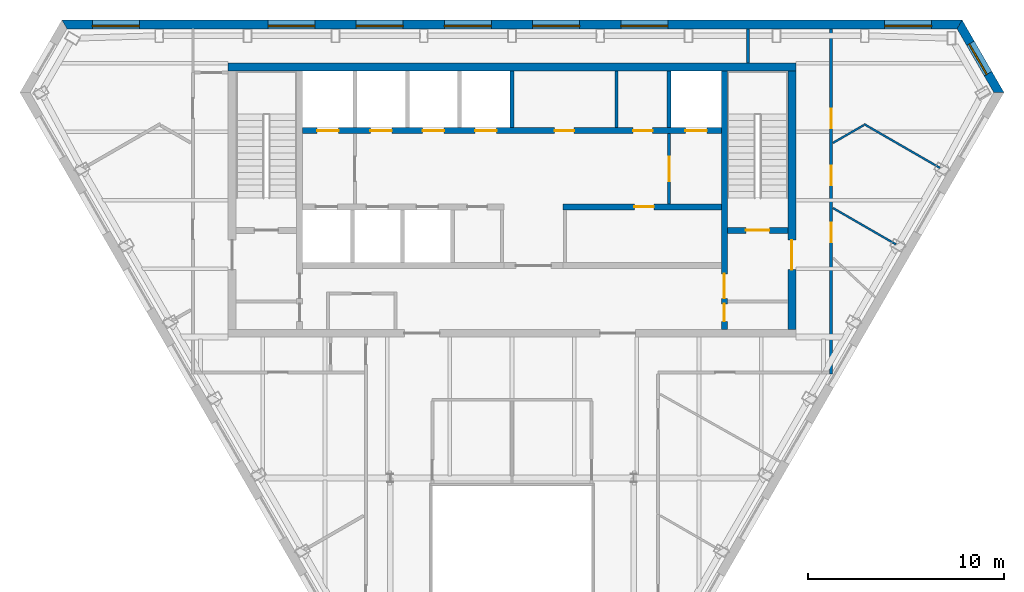
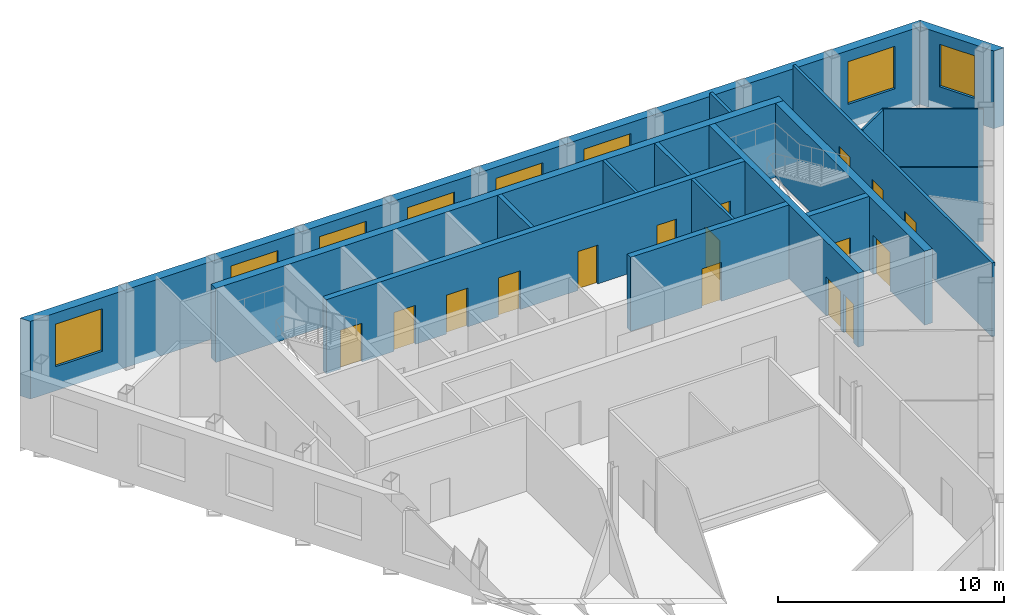
# One storey, part 6 of 9: 17 walls, 16 doors, 8 windows, 24 openings.
"""IFC4 building model written with IfcOpenShell, lengths in metres."""

from ifc_helpers import new_model, si_unit, direction, frame, frame_2d, origin, place, context, subcontext, project, spatial, polyline, rectangle, outline, extrude, material, layer, layer_set, type_object, element, fill, save


model = new_model("IFC4")

# Units and contexts
model_context = context("Model", 3, precision=1e-05, world=origin(), true_north=direction((0.0, 1.0)))
body_context = subcontext(model_context, "Body", "Model", "MODEL_VIEW")
ifc_project = project(units=[si_unit("LENGTHUNIT", "METRE"), si_unit("AREAUNIT", "SQUARE_METRE"), si_unit("VOLUMEUNIT", "CUBIC_METRE"), si_unit("PLANEANGLEUNIT", "RADIAN"), si_unit("MASSUNIT", "GRAM", prefix="KILO")], contexts=[model_context])

# Site, building, storey
site_placement = place(None, origin())
site = spatial("IfcSite", under=ifc_project, at=site_placement, CompositionType="ELEMENT")
building_placement = place(site_placement, origin())
building = spatial("IfcBuilding", under=site, at=building_placement, Name="Njiva Tower", CompositionType="ELEMENT")
storey_placement = place(building_placement, frame((0.0, 0.0, 321.0)))
storey = spatial("IfcBuildingStorey", under=building, at=storey_placement, Name="L73", CompositionType="ELEMENT", Elevation=321.0)

# Wall
ifc_material_1 = material(Name="Blockwork", Category="masonry")
ifc_layer_1 = layer(ifc_material_1, 0.15)
ifc_layer_set_1 = layer_set([ifc_layer_1], Name="Blockwork")
wall_type_1 = type_object("IfcWallType", Name="WT1 Compartment partition 150", PredefinedType="PARTITIONING", material=ifc_layer_set_1)
wall_1_placement = place(storey_placement, frame((5.35, 14.7, 0.0), z_axis=(0.0, 0.0, 1.0), x_axis=(0.0, 1.0, 0.0)))
element("IfcWall", 1, at=wall_1_placement, inside=storey, type_object=wall_type_1, Name="Partition CN6", PredefinedType="PARTITIONING", context=body_context, shape_type="SweptSolid", body=[
    extrude(rectangle(XDim=2.9, YDim=0.15, at=frame_2d((1.45, 0.0))), origin(), (0.0, 0.0, 1.0), 4.0),
])

# Wall, openings, doors
ifc_material_2 = material(Name="Concrete C40/50", Category="concrete")
ifc_layer_2 = layer(ifc_material_2, 0.3)
ifc_layer_set_2 = layer_set([ifc_layer_2], Name="Concrete C40/50")
wall_type_2 = type_object("IfcWallType", Name="WT10 Stair enclosure wall 300", PredefinedType="SHEAR", material=ifc_layer_set_2)
wall_2_placement = place(storey_placement, frame((10.85, 4.4, 0.0), z_axis=(0.0, 0.0, 1.0), x_axis=(0.0, 1.0, 0.0)))
wall_2 = element("IfcWall", 2, at=wall_2_placement, inside=storey, type_object=wall_type_2, Name="Stair wall east inner", PredefinedType="SHEAR", context=body_context, shape_type="SweptSolid", body=[
    extrude(rectangle(XDim=13.2, YDim=0.3, at=frame_2d((6.6, 0.0))), origin(), (0.0, 0.0, 1.0), 4.0),
])
opening_1_placement = place(wall_2_placement, frame((1.575, 0.0, 0.0)))
opening_1 = element("IfcOpeningElement", 3, at=opening_1_placement, cuts=wall_2, Name="Opening S25-D920", PredefinedType="OPENING", context=body_context, shape_type="SweptSolid", body=[
    extrude(rectangle(XDim=1.25, YDim=2.1, at=frame_2d((0.625, 1.05))), frame((0.0, 0.16, 0.0), z_axis=(0.0, -1.0, 0.0), x_axis=(1.0, 0.0, 0.0)), (0.0, 0.0, 1.0), 0.32),
])
opening_2_placement = place(wall_2_placement, frame((0.4, 0.0, 0.0)))
opening_2 = element("IfcOpeningElement", 4, at=opening_2_placement, cuts=wall_2, Name="Opening S25-D922", PredefinedType="OPENING", context=body_context, shape_type="SweptSolid", body=[
    extrude(rectangle(XDim=0.9, YDim=2.1, at=frame_2d((0.45, 1.05))), frame((0.0, 0.16, 0.0), z_axis=(0.0, -1.0, 0.0), x_axis=(1.0, 0.0, 0.0)), (0.0, 0.0, 1.0), 0.32),
])
ifc_material_3 = material(Name="Steel door, painted", Category="steel")
door_type_1 = type_object("IfcDoorType", Name="D13 Steel door 900x2100", OperationType="SINGLE_SWING_LEFT", PredefinedType="DOOR", material=ifc_material_3)
door_1_placement = place(opening_2_placement, origin())
door_1 = element("IfcDoor", 5, at=door_1_placement, inside=storey, type_object=door_type_1, Name="Breakout room door", OperationType="SINGLE_SWING_LEFT", OverallHeight=2.1, OverallWidth=0.9, PredefinedType="DOOR", context=body_context, shape_type="SweptSolid", body=[
    extrude(rectangle(XDim=0.9, YDim=2.1, at=frame_2d((0.45, 1.05))), frame((0.0, 0.025, 0.0), z_axis=(0.0, -1.0, 0.0), x_axis=(1.0, 0.0, 0.0)), (0.0, 0.0, 1.0), 0.05),
])
fill(opening_2, door_1)
ifc_material_4 = material(Name="Glazed steel fire door", Category="steel")
door_type_2 = type_object("IfcDoorType", Name="D8 Vestibule corridor door 1250x2100 glazed", OperationType="SINGLE_SWING_LEFT", PredefinedType="DOOR", material=ifc_material_4)
door_2_placement = place(opening_1_placement, origin())
door_2 = element("IfcDoor", 6, at=door_2_placement, inside=storey, type_object=door_type_2, Name="Stair vestibule corridor door", OperationType="SINGLE_SWING_RIGHT", OverallHeight=2.1, OverallWidth=1.25, PredefinedType="DOOR", context=body_context, shape_type="SweptSolid", body=[
    extrude(rectangle(XDim=1.25, YDim=2.1, at=frame_2d((0.625, 1.05))), frame((0.0, 0.025, 0.0), z_axis=(0.0, -1.0, 0.0), x_axis=(1.0, 0.0, 0.0)), (0.0, 0.0, 1.0), 0.05),
])
fill(opening_1, door_2)

# Wall, opening, door
wall_3_placement = place(storey_placement, frame((11.0, 9.45, 0.0), z_axis=(0.0, 0.0, 1.0), x_axis=(1.0, 0.0, 0.0)))
wall_3 = element("IfcWall", 7, at=wall_3_placement, inside=storey, type_object=wall_type_2, Name="Stair B south wall", PredefinedType="SHEAR", context=body_context, shape_type="SweptSolid", body=[
    extrude(rectangle(XDim=3.1, YDim=0.3, at=frame_2d((1.55, 0.0))), origin(), (0.0, 0.0, 1.0), 4.0),
])
opening_3_placement = place(wall_3_placement, frame((0.95, 0.0, 0.0)))
opening_3 = element("IfcOpeningElement", 8, at=opening_3_placement, cuts=wall_3, Name="Opening S25-D919", PredefinedType="OPENING", context=body_context, shape_type="SweptSolid", body=[
    extrude(rectangle(XDim=1.2, YDim=2.1, at=frame_2d((0.6, 1.05))), frame((0.0, 0.16, 0.0), z_axis=(0.0, -1.0, 0.0), x_axis=(1.0, 0.0, 0.0)), (0.0, 0.0, 1.0), 0.32),
])
door_type_3 = type_object("IfcDoorType", Name="D7 Stair vestibule door 1200x2100 glazed", OperationType="SINGLE_SWING_LEFT", PredefinedType="DOOR", material=ifc_material_4)
door_3_placement = place(opening_3_placement, origin())
door_3 = element("IfcDoor", 9, at=door_3_placement, inside=storey, type_object=door_type_3, Name="Stair B door", OperationType="SINGLE_SWING_LEFT", OverallHeight=2.1, OverallWidth=1.2, PredefinedType="DOOR", context=body_context, shape_type="SweptSolid", body=[
    extrude(rectangle(XDim=1.2, YDim=2.1, at=frame_2d((0.6, 1.05))), frame((0.0, 0.025, 0.0), z_axis=(0.0, -1.0, 0.0), x_axis=(1.0, 0.0, 0.0)), (0.0, 0.0, 1.0), 0.05),
])
fill(opening_3, door_3)

# Wall
ifc_material_5 = material(Name="Concrete C60/75", Category="concrete")
ifc_layer_3 = layer(ifc_material_5, 0.4)
ifc_layer_set_3 = layer_set([ifc_layer_3], Name="Concrete C60/75")
wall_type_3 = type_object("IfcWallType", Name="WT11 Core wall 400", PredefinedType="SHEAR", material=ifc_layer_set_3)
wall_4_placement = place(storey_placement, frame((-14.5, 17.8, 0.0), z_axis=(0.0, 0.0, 1.0), x_axis=(1.0, 0.0, 0.0)))
element("IfcWall", 10, at=wall_4_placement, inside=storey, type_object=wall_type_3, Name="Core wall north", PredefinedType="SHEAR", context=body_context, shape_type="SweptSolid", body=[
    extrude(rectangle(XDim=29.0, YDim=0.4, at=frame_2d((14.5, 0.0))), origin(), (0.0, 0.0, 1.0), 4.0),
])

# Wall, opening, door
wall_5_placement = place(storey_placement, frame((14.3, 4.4, 0.0), z_axis=(0.0, 0.0, 1.0), x_axis=(0.0, 1.0, 0.0)))
wall_5 = element("IfcWall", 11, at=wall_5_placement, inside=storey, type_object=wall_type_3, Name="Core wall east", PredefinedType="SHEAR", context=body_context, shape_type="SweptSolid", body=[
    extrude(rectangle(XDim=13.2, YDim=0.4, at=frame_2d((6.6, 0.0))), origin(), (0.0, 0.0, 1.0), 4.0),
])
opening_4_placement = place(wall_5_placement, frame((3.05, 0.0, 0.0)))
opening_4 = element("IfcOpeningElement", 12, at=opening_4_placement, cuts=wall_5, Name="Opening S25-D921", PredefinedType="OPENING", context=body_context, shape_type="SweptSolid", body=[
    extrude(rectangle(XDim=1.5, YDim=2.1, at=frame_2d((0.75, 1.05))), frame((0.0, 0.21, 0.0), z_axis=(0.0, -1.0, 0.0), x_axis=(1.0, 0.0, 0.0)), (0.0, 0.0, 1.0), 0.42),
])
door_type_4 = type_object("IfcDoorType", Name="D10 Exit door double 1500x2100 glazed", OperationType="DOUBLE_DOOR_SINGLE_SWING", PredefinedType="DOOR", material=ifc_material_4)
door_4_placement = place(opening_4_placement, origin())
door_4 = element("IfcDoor", 13, at=door_4_placement, inside=storey, type_object=door_type_4, Name="Stair B corridor door", OperationType="DOUBLE_DOOR_SINGLE_SWING", OverallHeight=2.1, OverallWidth=1.5, PredefinedType="DOOR", context=body_context, shape_type="SweptSolid", body=[
    extrude(rectangle(XDim=1.5, YDim=2.1, at=frame_2d((0.75, 1.05))), frame((0.0, 0.025, 0.0), z_axis=(0.0, -1.0, 0.0), x_axis=(1.0, 0.0, 0.0)), (0.0, 0.0, 1.0), 0.05),
])
fill(opening_4, door_4)

ifc_layer_4 = layer(ifc_material_1, 0.15)
ifc_layer_set_4 = layer_set([ifc_layer_4], Name="Blockwork")
wall_type_4 = type_object("IfcWallType", Name="WT2 Lobby partition 150", PredefinedType="PARTITIONING", material=ifc_layer_set_4)
wall_6_placement = place(storey_placement, frame((8.025, 10.8, 0.0), z_axis=(0.0, 0.0, 1.0), x_axis=(0.0, 1.0, 0.0)))
wall_6 = element("IfcWall", 14, at=wall_6_placement, inside=storey, type_object=wall_type_4, Name="Firefighting lobby wall B", PredefinedType="PARTITIONING", context=body_context, shape_type="SweptSolid", body=[
    extrude(rectangle(XDim=3.6, YDim=0.15, at=frame_2d((1.8, 0.0))), origin(), (0.0, 0.0, 1.0), 4.0),
])
opening_5_placement = place(wall_6_placement, frame((1.175, 0.0, 0.0)))
opening_5 = element("IfcOpeningElement", 15, at=opening_5_placement, cuts=wall_6, Name="Opening S25-D918", PredefinedType="OPENING", context=body_context, shape_type="SweptSolid", body=[
    extrude(rectangle(XDim=1.25, YDim=2.1, at=frame_2d((0.625, 1.05))), frame((0.0, 0.085, 0.0), z_axis=(0.0, -1.0, 0.0), x_axis=(1.0, 0.0, 0.0)), (0.0, 0.0, 1.0), 0.17),
])
door_5_placement = place(opening_5_placement, origin())
door_5 = element("IfcDoor", 16, at=door_5_placement, inside=storey, type_object=door_type_2, Name="Stair vestibule corridor door", OperationType="SINGLE_SWING_LEFT", OverallHeight=2.1, OverallWidth=1.25, PredefinedType="DOOR", context=body_context, shape_type="SweptSolid", body=[
    extrude(rectangle(XDim=1.25, YDim=2.1, at=frame_2d((0.625, 1.05))), frame((0.0, 0.025, 0.0), z_axis=(0.0, -1.0, 0.0), x_axis=(1.0, 0.0, 0.0)), (0.0, 0.0, 1.0), 0.05),
])
fill(opening_5, door_5)

# Walls
ifc_material_6 = material(Name="Gypsum board on steel studs", Category="gypsum")
ifc_layer_5 = layer(ifc_material_6, 0.1)
ifc_layer_set_5 = layer_set([ifc_layer_5], Name="Gypsum board on steel studs")
wall_type_5 = type_object("IfcWallType", Name="WT20 Gypsum partition 100", PredefinedType="PARTITIONING", material=ifc_layer_set_5)
wall_7_placement = place(storey_placement, frame((16.4, 13.923, 0.0), z_axis=(0.0, 0.0, 1.0), x_axis=(0.866571760088, 0.499052486836, 0.0)))
element("IfcWall", 17, at=wall_7_placement, inside=storey, type_object=wall_type_5, Name="Partition S25-P025", PredefinedType="PARTITIONING", context=body_context, shape_type="SweptSolid", body=[
    extrude(rectangle(XDim=1.8094, YDim=0.1, at=frame_2d((0.9047, 0.0))), origin(), (0.0, 0.0, 1.0), 4.0),
])
wall_8_placement = place(storey_placement, frame((16.4, 10.595, 0.0), z_axis=(0.0, 0.0, 1.0), x_axis=(0.866131810338, -0.499815653138, 0.0)))
element("IfcWall", 18, at=wall_8_placement, inside=storey, type_object=wall_type_5, Name="Partition S25-P026", PredefinedType="PARTITIONING", context=body_context, shape_type="SweptSolid", body=[
    extrude(rectangle(XDim=3.7154, YDim=0.1, at=frame_2d((1.8577, 0.0))), origin(), (0.0, 0.0, 1.0), 4.0),
])
wall_9_placement = place(storey_placement, frame((17.984, 14.885, 0.0), z_axis=(0.0, 0.0, 1.0), x_axis=(0.86619300392, -0.499709595626, 0.0)))
element("IfcWall", 19, at=wall_9_placement, inside=storey, type_object=wall_type_5, Name="Partition S25-P028", PredefinedType="PARTITIONING", context=body_context, shape_type="SweptSolid", body=[
    extrude(rectangle(XDim=4.4886, YDim=0.1, at=frame_2d((2.2443, 0.0))), origin(), (0.0, 0.0, 1.0), 4.0),
])
ifc_layer_6 = layer(ifc_material_6, 0.15)
ifc_layer_set_6 = layer_set([ifc_layer_6], Name="Gypsum board on steel studs")
wall_type_6 = type_object("IfcWallType", Name="WT21 Compartment wall 150", PredefinedType="PARTITIONING", material=ifc_layer_set_6)
wall_10_placement = place(storey_placement, frame((12.05, 18.0, 0.0), z_axis=(0.0, 0.0, 1.0), x_axis=(0.0, 1.0, 0.0)))
element("IfcWall", 20, at=wall_10_placement, inside=storey, type_object=wall_type_6, Name="Partition S25-P023", PredefinedType="PARTITIONING", context=body_context, shape_type="SweptSolid", body=[
    extrude(rectangle(XDim=1.75, YDim=0.15, at=frame_2d((0.875, 0.0))), origin(), (0.0, 0.0, 1.0), 4.0),
])

# Wall, openings, doors
wall_11_placement = place(storey_placement, frame((16.3, 2.125, 0.0), z_axis=(0.0, 0.0, 1.0), x_axis=(0.0, 1.0, 0.0)))
wall_11 = element("IfcWall", 21, at=wall_11_placement, inside=storey, type_object=wall_type_6, Name="Partition S25-P024", PredefinedType="PARTITIONING", context=body_context, shape_type="SweptSolid", body=[
    extrude(rectangle(XDim=17.623, YDim=0.15, at=frame_2d((8.8115, 0.0))), origin(), (0.0, 0.0, 1.0), 4.0),
])
opening_6_placement = place(wall_11_placement, frame((6.72, 0.0, 0.0)))
opening_6 = element("IfcOpeningElement", 22, at=opening_6_placement, cuts=wall_11, Name="Opening S25-D014", PredefinedType="OPENING", context=body_context, shape_type="SweptSolid", body=[
    extrude(rectangle(XDim=1.0, YDim=2.1, at=frame_2d((0.5, 1.05))), frame((0.0, 0.085, 0.0), z_axis=(0.0, -1.0, 0.0), x_axis=(1.0, 0.0, 0.0)), (0.0, 0.0, 1.0), 0.17),
])
opening_7_placement = place(wall_11_placement, frame((9.633, 0.0, 0.0)))
opening_7 = element("IfcOpeningElement", 23, at=opening_7_placement, cuts=wall_11, Name="Opening S25-D015", PredefinedType="OPENING", context=body_context, shape_type="SweptSolid", body=[
    extrude(rectangle(XDim=1.0, YDim=2.1, at=frame_2d((0.5, 1.05))), frame((0.0, 0.085, 0.0), z_axis=(0.0, -1.0, 0.0), x_axis=(1.0, 0.0, 0.0)), (0.0, 0.0, 1.0), 0.17),
])
opening_8_placement = place(wall_11_placement, frame((12.544, 0.0, 0.0)))
opening_8 = element("IfcOpeningElement", 24, at=opening_8_placement, cuts=wall_11, Name="Opening S25-D016", PredefinedType="OPENING", context=body_context, shape_type="SweptSolid", body=[
    extrude(rectangle(XDim=1.0, YDim=2.1, at=frame_2d((0.5, 1.05))), frame((0.0, 0.085, 0.0), z_axis=(0.0, -1.0, 0.0), x_axis=(1.0, 0.0, 0.0)), (0.0, 0.0, 1.0), 0.17),
])
ifc_material_7 = material(Name="Steel fire door set", Category="steel")
door_type_5 = type_object("IfcDoorType", Name="D37 Fire door 1000x2100", OperationType="SINGLE_SWING_LEFT", PredefinedType="DOOR", material=ifc_material_7)
door_6_placement = place(opening_6_placement, origin())
door_6 = element("IfcDoor", 25, at=door_6_placement, inside=storey, type_object=door_type_5, Name="Door S25-D014", OperationType="SINGLE_SWING_LEFT", OverallHeight=2.1, OverallWidth=1.0, PredefinedType="DOOR", context=body_context, shape_type="SweptSolid", body=[
    extrude(rectangle(XDim=1.0, YDim=2.1, at=frame_2d((0.5, 1.05))), frame((0.0, 0.025, 0.0), z_axis=(0.0, -1.0, 0.0), x_axis=(1.0, 0.0, 0.0)), (0.0, 0.0, 1.0), 0.05),
])
fill(opening_6, door_6)
door_7_placement = place(opening_7_placement, origin())
door_7 = element("IfcDoor", 26, at=door_7_placement, inside=storey, type_object=door_type_5, Name="Door S25-D015", OperationType="SINGLE_SWING_RIGHT", OverallHeight=2.1, OverallWidth=1.0, PredefinedType="DOOR", context=body_context, shape_type="SweptSolid", body=[
    extrude(rectangle(XDim=1.0, YDim=2.1, at=frame_2d((0.5, 1.05))), frame((0.0, 0.025, 0.0), z_axis=(0.0, -1.0, 0.0), x_axis=(1.0, 0.0, 0.0)), (0.0, 0.0, 1.0), 0.05),
])
fill(opening_7, door_7)
door_8_placement = place(opening_8_placement, origin())
door_8 = element("IfcDoor", 27, at=door_8_placement, inside=storey, type_object=door_type_5, Name="Door S25-D016", OperationType="SINGLE_SWING_RIGHT", OverallHeight=2.1, OverallWidth=1.0, PredefinedType="DOOR", context=body_context, shape_type="SweptSolid", body=[
    extrude(rectangle(XDim=1.0, YDim=2.1, at=frame_2d((0.5, 1.05))), frame((0.0, 0.025, 0.0), z_axis=(0.0, -1.0, 0.0), x_axis=(1.0, 0.0, 0.0)), (0.0, 0.0, 1.0), 0.05),
])
fill(opening_8, door_8)

# Walls
ifc_layer_7 = layer(ifc_material_2, 0.2)
ifc_layer_set_7 = layer_set([ifc_layer_7], Name="Concrete C40/50")
wall_type_7 = type_object("IfcWallType", Name="WT6 Lift shaft wall 200", PredefinedType="SHEAR", material=ifc_layer_set_7)
for number, where, z_axis, x_axis, name in (
    (28, (0.0, 14.7, 0.0), (0.0, 0.0, 1.0), (0.0, 1.0, 0.0), "Shaft wall CN4"),
    (29, (8.025, 14.7, 0.0), (0.0, 0.0, 1.0), (0.0, 1.0, 0.0), "Shaft wall CN7"),
):
    element("IfcWall", number, at=place(storey_placement, frame(where, z_axis=z_axis, x_axis=x_axis)), inside=storey, type_object=wall_type_7, Name=name, PredefinedType="SHEAR", context=body_context, shape_type="SweptSolid", body=[
        extrude(rectangle(XDim=2.9, YDim=0.2, at=frame_2d((1.45, 0.0))), origin(), (0.0, 0.0, 1.0), 4.0),
    ])

# Wall, openings, doors
ifc_layer_8 = layer(ifc_material_2, 0.3)
ifc_layer_set_8 = layer_set([ifc_layer_8], Name="Concrete C40/50")
wall_type_8 = type_object("IfcWallType", Name="WT7 Lift shaft wall 300", PredefinedType="SHEAR", material=ifc_layer_set_8)
wall_12_placement = place(storey_placement, frame((-10.7, 14.55, 0.0), z_axis=(0.0, 0.0, 1.0), x_axis=(1.0, 0.0, 0.0)))
wall_12 = element("IfcWall", 30, at=wall_12_placement, inside=storey, type_object=wall_type_8, Name="Shaft wall north row lobby side", PredefinedType="SHEAR", context=body_context, shape_type="SweptSolid", body=[
    extrude(rectangle(XDim=21.4, YDim=0.3, at=frame_2d((10.7, 0.0))), origin(), (0.0, 0.0, 1.0), 4.0),
])
opening_9_placement = place(wall_12_placement, frame((0.7375, 0.0, 0.0)))
opening_9 = element("IfcOpeningElement", 31, at=opening_9_placement, cuts=wall_12, Name="Opening S25-D901", PredefinedType="OPENING", context=body_context, shape_type="SweptSolid", body=[
    extrude(rectangle(XDim=1.1, YDim=2.1, at=frame_2d((0.55, 1.05))), frame((0.0, 0.16, 0.0), z_axis=(0.0, -1.0, 0.0), x_axis=(1.0, 0.0, 0.0)), (0.0, 0.0, 1.0), 0.32),
])
opening_10_placement = place(wall_12_placement, frame((3.4625, 0.0, 0.0)))
opening_10 = element("IfcOpeningElement", 32, at=opening_10_placement, cuts=wall_12, Name="Opening S25-D902", PredefinedType="OPENING", context=body_context, shape_type="SweptSolid", body=[
    extrude(rectangle(XDim=1.1, YDim=2.1, at=frame_2d((0.55, 1.05))), frame((0.0, 0.16, 0.0), z_axis=(0.0, -1.0, 0.0), x_axis=(1.0, 0.0, 0.0)), (0.0, 0.0, 1.0), 0.32),
])
opening_11_placement = place(wall_12_placement, frame((6.1375, 0.0, 0.0)))
opening_11 = element("IfcOpeningElement", 33, at=opening_11_placement, cuts=wall_12, Name="Opening S25-D903", PredefinedType="OPENING", context=body_context, shape_type="SweptSolid", body=[
    extrude(rectangle(XDim=1.1, YDim=2.1, at=frame_2d((0.55, 1.05))), frame((0.0, 0.16, 0.0), z_axis=(0.0, -1.0, 0.0), x_axis=(1.0, 0.0, 0.0)), (0.0, 0.0, 1.0), 0.32),
])
opening_12_placement = place(wall_12_placement, frame((8.8125, 0.0, 0.0)))
opening_12 = element("IfcOpeningElement", 34, at=opening_12_placement, cuts=wall_12, Name="Opening S25-D904", PredefinedType="OPENING", context=body_context, shape_type="SweptSolid", body=[
    extrude(rectangle(XDim=1.1, YDim=2.1, at=frame_2d((0.55, 1.05))), frame((0.0, 0.16, 0.0), z_axis=(0.0, -1.0, 0.0), x_axis=(1.0, 0.0, 0.0)), (0.0, 0.0, 1.0), 0.32),
])
opening_13_placement = place(wall_12_placement, frame((19.5625, 0.0, 0.0)))
opening_13 = element("IfcOpeningElement", 35, at=opening_13_placement, cuts=wall_12, Name="Opening S25-D905", PredefinedType="OPENING", context=body_context, shape_type="SweptSolid", body=[
    extrude(rectangle(XDim=1.1, YDim=2.1, at=frame_2d((0.55, 1.05))), frame((0.0, 0.16, 0.0), z_axis=(0.0, -1.0, 0.0), x_axis=(1.0, 0.0, 0.0)), (0.0, 0.0, 1.0), 0.32),
])
opening_14_placement = place(wall_12_placement, frame((12.875, 0.0, 0.0)))
opening_14 = element("IfcOpeningElement", 36, at=opening_14_placement, cuts=wall_12, Name="Opening S25-D909", PredefinedType="OPENING", context=body_context, shape_type="SweptSolid", body=[
    extrude(rectangle(XDim=1.0, YDim=2.1, at=frame_2d((0.5, 1.05))), frame((0.0, 0.16, 0.0), z_axis=(0.0, -1.0, 0.0), x_axis=(1.0, 0.0, 0.0)), (0.0, 0.0, 1.0), 0.32),
])
opening_15_placement = place(wall_12_placement, frame((16.8875, 0.0, 0.0)))
opening_15 = element("IfcOpeningElement", 37, at=opening_15_placement, cuts=wall_12, Name="Opening S25-D910", PredefinedType="OPENING", context=body_context, shape_type="SweptSolid", body=[
    extrude(rectangle(XDim=1.0, YDim=2.1, at=frame_2d((0.5, 1.05))), frame((0.0, 0.16, 0.0), z_axis=(0.0, -1.0, 0.0), x_axis=(1.0, 0.0, 0.0)), (0.0, 0.0, 1.0), 0.32),
])
door_type_6 = type_object("IfcDoorType", Name="D5 Steel door 1000x2100", OperationType="SINGLE_SWING_LEFT", PredefinedType="DOOR", material=ifc_material_3)
door_9_placement = place(opening_14_placement, origin())
door_9 = element("IfcDoor", 38, at=door_9_placement, inside=storey, type_object=door_type_6, Name="Breakout room door", OperationType="SINGLE_SWING_LEFT", OverallHeight=2.1, OverallWidth=1.0, PredefinedType="DOOR", context=body_context, shape_type="SweptSolid", body=[
    extrude(rectangle(XDim=1.0, YDim=2.1, at=frame_2d((0.5, 1.05))), frame((0.0, 0.025, 0.0), z_axis=(0.0, -1.0, 0.0), x_axis=(1.0, 0.0, 0.0)), (0.0, 0.0, 1.0), 0.05),
])
fill(opening_14, door_9)
door_10_placement = place(opening_15_placement, origin())
door_10 = element("IfcDoor", 39, at=door_10_placement, inside=storey, type_object=door_type_6, Name="Quiet room door", OperationType="SINGLE_SWING_LEFT", OverallHeight=2.1, OverallWidth=1.0, PredefinedType="DOOR", context=body_context, shape_type="SweptSolid", body=[
    extrude(rectangle(XDim=1.0, YDim=2.1, at=frame_2d((0.5, 1.05))), frame((0.0, 0.025, 0.0), z_axis=(0.0, -1.0, 0.0), x_axis=(1.0, 0.0, 0.0)), (0.0, 0.0, 1.0), 0.05),
])
fill(opening_15, door_10)
ifc_material_8 = material(Name="Stainless steel sliding door", Category="steel")
door_type_7 = type_object("IfcDoorType", Name="LD Lift landing door 1100x2100", OperationType="SLIDING_TO_LEFT", PredefinedType="DOOR", material=ifc_material_8)
door_11_placement = place(opening_9_placement, origin())
door_11 = element("IfcDoor", 40, at=door_11_placement, inside=storey, type_object=door_type_7, Name="Lift landing door FF1", OperationType="SLIDING_TO_LEFT", OverallHeight=2.1, OverallWidth=1.1, PredefinedType="DOOR", context=body_context, shape_type="SweptSolid", body=[
    extrude(rectangle(XDim=1.1, YDim=2.1, at=frame_2d((0.55, 1.05))), frame((0.0, 0.025, 0.0), z_axis=(0.0, -1.0, 0.0), x_axis=(1.0, 0.0, 0.0)), (0.0, 0.0, 1.0), 0.05),
])
fill(opening_9, door_11)
door_12_placement = place(opening_10_placement, origin())
door_12 = element("IfcDoor", 41, at=door_12_placement, inside=storey, type_object=door_type_7, Name="Lift landing door HB4", OperationType="SLIDING_TO_LEFT", OverallHeight=2.1, OverallWidth=1.1, PredefinedType="DOOR", context=body_context, shape_type="SweptSolid", body=[
    extrude(rectangle(XDim=1.1, YDim=2.1, at=frame_2d((0.55, 1.05))), frame((0.0, 0.025, 0.0), z_axis=(0.0, -1.0, 0.0), x_axis=(1.0, 0.0, 0.0)), (0.0, 0.0, 1.0), 0.05),
])
fill(opening_10, door_12)
door_13_placement = place(opening_11_placement, origin())
door_13 = element("IfcDoor", 42, at=door_13_placement, inside=storey, type_object=door_type_7, Name="Lift landing door HB5", OperationType="SLIDING_TO_LEFT", OverallHeight=2.1, OverallWidth=1.1, PredefinedType="DOOR", context=body_context, shape_type="SweptSolid", body=[
    extrude(rectangle(XDim=1.1, YDim=2.1, at=frame_2d((0.55, 1.05))), frame((0.0, 0.025, 0.0), z_axis=(0.0, -1.0, 0.0), x_axis=(1.0, 0.0, 0.0)), (0.0, 0.0, 1.0), 0.05),
])
fill(opening_11, door_13)
door_14_placement = place(opening_12_placement, origin())
door_14 = element("IfcDoor", 43, at=door_14_placement, inside=storey, type_object=door_type_7, Name="Lift landing door HB6", OperationType="SLIDING_TO_LEFT", OverallHeight=2.1, OverallWidth=1.1, PredefinedType="DOOR", context=body_context, shape_type="SweptSolid", body=[
    extrude(rectangle(XDim=1.1, YDim=2.1, at=frame_2d((0.55, 1.05))), frame((0.0, 0.025, 0.0), z_axis=(0.0, -1.0, 0.0), x_axis=(1.0, 0.0, 0.0)), (0.0, 0.0, 1.0), 0.05),
])
fill(opening_12, door_14)
door_15_placement = place(opening_13_placement, origin())
door_15 = element("IfcDoor", 44, at=door_15_placement, inside=storey, type_object=door_type_7, Name="Lift landing door FF2", OperationType="SLIDING_TO_LEFT", OverallHeight=2.1, OverallWidth=1.1, PredefinedType="DOOR", context=body_context, shape_type="SweptSolid", body=[
    extrude(rectangle(XDim=1.1, YDim=2.1, at=frame_2d((0.55, 1.05))), frame((0.0, 0.025, 0.0), z_axis=(0.0, -1.0, 0.0), x_axis=(1.0, 0.0, 0.0)), (0.0, 0.0, 1.0), 0.05),
])
fill(opening_13, door_15)

# Wall, opening, door
wall_13_placement = place(storey_placement, frame((2.6, 10.65, 0.0), z_axis=(0.0, 0.0, 1.0), x_axis=(1.0, 0.0, 0.0)))
wall_13 = element("IfcWall", 45, at=wall_13_placement, inside=storey, type_object=wall_type_8, Name="Shaft wall south row lobby side E", PredefinedType="SHEAR", context=body_context, shape_type="SweptSolid", body=[
    extrude(rectangle(XDim=8.1, YDim=0.3, at=frame_2d((4.05, 0.0))), origin(), (0.0, 0.0, 1.0), 4.0),
])
opening_16_placement = place(wall_13_placement, frame((3.65, 0.0, 0.0)))
opening_16 = element("IfcOpeningElement", 46, at=opening_16_placement, cuts=wall_13, Name="Opening S25-D912", PredefinedType="OPENING", context=body_context, shape_type="SweptSolid", body=[
    extrude(rectangle(XDim=1.0, YDim=2.1, at=frame_2d((0.5, 1.05))), frame((0.0, 0.16, 0.0), z_axis=(0.0, -1.0, 0.0), x_axis=(1.0, 0.0, 0.0)), (0.0, 0.0, 1.0), 0.32),
])
door_16_placement = place(opening_16_placement, origin())
door_16 = element("IfcDoor", 47, at=door_16_placement, inside=storey, type_object=door_type_6, Name="Mechanical room door", OperationType="SINGLE_SWING_RIGHT", OverallHeight=2.1, OverallWidth=1.0, PredefinedType="DOOR", context=body_context, shape_type="SweptSolid", body=[
    extrude(rectangle(XDim=1.0, YDim=2.1, at=frame_2d((0.5, 1.05))), frame((0.0, 0.025, 0.0), z_axis=(0.0, -1.0, 0.0), x_axis=(1.0, 0.0, 0.0)), (0.0, 0.0, 1.0), 0.05),
])
fill(opening_16, door_16)

# Wall, openings, windows
ifc_material_9 = material(Name="Brick masonry", Category="masonry")
ifc_layer_9 = layer(ifc_material_9, 0.45)
ifc_layer_set_9 = layer_set([ifc_layer_9], Name="Brick masonry")
wall_type_9 = type_object("IfcWallType", Name="WT90 Brick pier and spandrel wall 450", PredefinedType="SOLIDWALL", material=ifc_layer_set_9)
wall_14_placement = place(storey_placement, frame((22.8651, 19.975, -0.4), z_axis=(0.0, 0.0, 1.0), x_axis=(-1.0, 0.0, 0.0)))
wall_14 = element("IfcWall", 48, at=wall_14_placement, inside=storey, type_object=wall_type_9, Name="Facade wall N", PredefinedType="SOLIDWALL", context=body_context, shape_type="SweptSolid", body=[
    extrude(outline(polyline([(-0.1299, -0.225), (45.8601, -0.225), (45.6003, 0.225), (0.1299, 0.225), (-0.1299, -0.225)])), origin(), (0.0, 0.0, 1.0), 4.2),
])
opening_17_placement = place(wall_14_placement, frame((1.4237, 0.0, 1.3)))
opening_17 = element("IfcOpeningElement", 49, at=opening_17_placement, cuts=wall_14, Name="Opening S25-W01", PredefinedType="OPENING", context=body_context, shape_type="SweptSolid", body=[
    extrude(rectangle(XDim=2.4, YDim=2.3, at=frame_2d((1.2, 1.15))), frame((0.0, 0.235, 0.0), z_axis=(0.0, -1.0, 0.0), x_axis=(1.0, 0.0, 0.0)), (0.0, 0.0, 1.0), 0.47),
])
opening_18_placement = place(wall_14_placement, frame((14.9052, 0.0, 1.3)))
opening_18 = element("IfcOpeningElement", 50, at=opening_18_placement, cuts=wall_14, Name="Opening S25-W02", PredefinedType="OPENING", context=body_context, shape_type="SweptSolid", body=[
    extrude(rectangle(XDim=2.4, YDim=2.3, at=frame_2d((1.2, 1.15))), frame((0.0, 0.235, 0.0), z_axis=(0.0, -1.0, 0.0), x_axis=(1.0, 0.0, 0.0)), (0.0, 0.0, 1.0), 0.47),
])
opening_19_placement = place(wall_14_placement, frame((19.4118, 0.0, 1.3)))
opening_19 = element("IfcOpeningElement", 51, at=opening_19_placement, cuts=wall_14, Name="Opening S25-W03", PredefinedType="OPENING", context=body_context, shape_type="SweptSolid", body=[
    extrude(rectangle(XDim=2.4, YDim=2.3, at=frame_2d((1.2, 1.15))), frame((0.0, 0.235, 0.0), z_axis=(0.0, -1.0, 0.0), x_axis=(1.0, 0.0, 0.0)), (0.0, 0.0, 1.0), 0.47),
])
opening_20_placement = place(wall_14_placement, frame((23.9184, 0.0, 1.3)))
opening_20 = element("IfcOpeningElement", 52, at=opening_20_placement, cuts=wall_14, Name="Opening S25-W04", PredefinedType="OPENING", context=body_context, shape_type="SweptSolid", body=[
    extrude(rectangle(XDim=2.4, YDim=2.3, at=frame_2d((1.2, 1.15))), frame((0.0, 0.235, 0.0), z_axis=(0.0, -1.0, 0.0), x_axis=(1.0, 0.0, 0.0)), (0.0, 0.0, 1.0), 0.47),
])
opening_21_placement = place(wall_14_placement, frame((28.425, 0.0, 1.3)))
opening_21 = element("IfcOpeningElement", 53, at=opening_21_placement, cuts=wall_14, Name="Opening S25-W05", PredefinedType="OPENING", context=body_context, shape_type="SweptSolid", body=[
    extrude(rectangle(XDim=2.4, YDim=2.3, at=frame_2d((1.2, 1.15))), frame((0.0, 0.235, 0.0), z_axis=(0.0, -1.0, 0.0), x_axis=(1.0, 0.0, 0.0)), (0.0, 0.0, 1.0), 0.47),
])
opening_22_placement = place(wall_14_placement, frame((32.9316, 0.0, 1.3)))
opening_22 = element("IfcOpeningElement", 54, at=opening_22_placement, cuts=wall_14, Name="Opening S25-W06", PredefinedType="OPENING", context=body_context, shape_type="SweptSolid", body=[
    extrude(rectangle(XDim=2.4, YDim=2.3, at=frame_2d((1.2, 1.15))), frame((0.0, 0.235, 0.0), z_axis=(0.0, -1.0, 0.0), x_axis=(1.0, 0.0, 0.0)), (0.0, 0.0, 1.0), 0.47),
])
opening_23_placement = place(wall_14_placement, frame((41.9065, 0.0, 1.3)))
opening_23 = element("IfcOpeningElement", 55, at=opening_23_placement, cuts=wall_14, Name="Opening S25-W07", PredefinedType="OPENING", context=body_context, shape_type="SweptSolid", body=[
    extrude(rectangle(XDim=2.4, YDim=2.3, at=frame_2d((1.2, 1.15))), frame((0.0, 0.235, 0.0), z_axis=(0.0, -1.0, 0.0), x_axis=(1.0, 0.0, 0.0)), (0.0, 0.0, 1.0), 0.47),
])
ifc_material_10 = material(Name="Clear glazing in aluminium frame", Category="aluminium")
window_type_1 = type_object("IfcWindowType", Name="W91 Deep-set window 2400x2300", PartitioningType="SINGLE_PANEL", PredefinedType="WINDOW", material=ifc_material_10)
window_1_placement = place(opening_17_placement, origin())
window_1 = element("IfcWindow", 56, at=window_1_placement, inside=storey, type_object=window_type_1, Name="Window", OverallHeight=2.3, OverallWidth=2.4, PartitioningType="SINGLE_PANEL", PredefinedType="WINDOW", context=body_context, shape_type="SweptSolid", body=[
    extrude(rectangle(XDim=2.4, YDim=2.3, at=frame_2d((1.2, 1.15))), frame((0.0, 0.105, 0.0), z_axis=(0.0, -1.0, 0.0), x_axis=(1.0, 0.0, 0.0)), (0.0, 0.0, 1.0), 0.06),
])
fill(opening_17, window_1)
window_2_placement = place(opening_18_placement, origin())
window_2 = element("IfcWindow", 57, at=window_2_placement, inside=storey, type_object=window_type_1, Name="Window", OverallHeight=2.3, OverallWidth=2.4, PartitioningType="SINGLE_PANEL", PredefinedType="WINDOW", context=body_context, shape_type="SweptSolid", body=[
    extrude(rectangle(XDim=2.4, YDim=2.3, at=frame_2d((1.2, 1.15))), frame((0.0, 0.105, 0.0), z_axis=(0.0, -1.0, 0.0), x_axis=(1.0, 0.0, 0.0)), (0.0, 0.0, 1.0), 0.06),
])
fill(opening_18, window_2)
window_3_placement = place(opening_19_placement, origin())
window_3 = element("IfcWindow", 58, at=window_3_placement, inside=storey, type_object=window_type_1, Name="Window", OverallHeight=2.3, OverallWidth=2.4, PartitioningType="SINGLE_PANEL", PredefinedType="WINDOW", context=body_context, shape_type="SweptSolid", body=[
    extrude(rectangle(XDim=2.4, YDim=2.3, at=frame_2d((1.2, 1.15))), frame((0.0, 0.105, 0.0), z_axis=(0.0, -1.0, 0.0), x_axis=(1.0, 0.0, 0.0)), (0.0, 0.0, 1.0), 0.06),
])
fill(opening_19, window_3)
window_4_placement = place(opening_20_placement, origin())
window_4 = element("IfcWindow", 59, at=window_4_placement, inside=storey, type_object=window_type_1, Name="Window", OverallHeight=2.3, OverallWidth=2.4, PartitioningType="SINGLE_PANEL", PredefinedType="WINDOW", context=body_context, shape_type="SweptSolid", body=[
    extrude(rectangle(XDim=2.4, YDim=2.3, at=frame_2d((1.2, 1.15))), frame((0.0, 0.105, 0.0), z_axis=(0.0, -1.0, 0.0), x_axis=(1.0, 0.0, 0.0)), (0.0, 0.0, 1.0), 0.06),
])
fill(opening_20, window_4)
window_5_placement = place(opening_21_placement, origin())
window_5 = element("IfcWindow", 60, at=window_5_placement, inside=storey, type_object=window_type_1, Name="Window", OverallHeight=2.3, OverallWidth=2.4, PartitioningType="SINGLE_PANEL", PredefinedType="WINDOW", context=body_context, shape_type="SweptSolid", body=[
    extrude(rectangle(XDim=2.4, YDim=2.3, at=frame_2d((1.2, 1.15))), frame((0.0, 0.105, 0.0), z_axis=(0.0, -1.0, 0.0), x_axis=(1.0, 0.0, 0.0)), (0.0, 0.0, 1.0), 0.06),
])
fill(opening_21, window_5)
window_6_placement = place(opening_22_placement, origin())
window_6 = element("IfcWindow", 61, at=window_6_placement, inside=storey, type_object=window_type_1, Name="Window", OverallHeight=2.3, OverallWidth=2.4, PartitioningType="SINGLE_PANEL", PredefinedType="WINDOW", context=body_context, shape_type="SweptSolid", body=[
    extrude(rectangle(XDim=2.4, YDim=2.3, at=frame_2d((1.2, 1.15))), frame((0.0, 0.105, 0.0), z_axis=(0.0, -1.0, 0.0), x_axis=(1.0, 0.0, 0.0)), (0.0, 0.0, 1.0), 0.06),
])
fill(opening_22, window_6)
window_7_placement = place(opening_23_placement, origin())
window_7 = element("IfcWindow", 62, at=window_7_placement, inside=storey, type_object=window_type_1, Name="Window", OverallHeight=2.3, OverallWidth=2.4, PartitioningType="SINGLE_PANEL", PredefinedType="WINDOW", context=body_context, shape_type="SweptSolid", body=[
    extrude(rectangle(XDim=2.4, YDim=2.3, at=frame_2d((1.2, 1.15))), frame((0.0, 0.105, 0.0), z_axis=(0.0, -1.0, 0.0), x_axis=(1.0, 0.0, 0.0)), (0.0, 0.0, 1.0), 0.06),
])
fill(opening_23, window_7)

# Wall, opening, window
ifc_material_11 = material(Name="Brick masonry, buff", Category="masonry")
ifc_layer_10 = layer(ifc_material_11, 0.45)
ifc_layer_set_10 = layer_set([ifc_layer_10], Name="Brick masonry, buff")
wall_type_10 = type_object("IfcWallType", Name="WT94 Brick pier and spandrel wall 450, buff", PredefinedType="SOLIDWALL", material=ifc_layer_set_10)
wall_15_placement = place(storey_placement, frame((24.8789, 16.4956, -0.4), z_axis=(0.0, 0.0, 1.0), x_axis=(-0.499999496815, 0.866025694299, 0.0)))
wall_15 = element("IfcWall", 63, at=wall_15_placement, inside=storey, type_object=wall_type_10, Name="Facade wall NE", PredefinedType="SOLIDWALL", context=body_context, shape_type="SweptSolid", body=[
    extrude(outline(polyline([(-0.1299, -0.225), (4.1501, -0.225), (3.8903, 0.225), (0.1299, 0.225), (-0.1299, -0.225)])), origin(), (0.0, 0.0, 1.0), 4.2),
])
opening_24_placement = place(wall_15_placement, frame((1.1101, 0.0, 1.3)))
opening_24 = element("IfcOpeningElement", 64, at=opening_24_placement, cuts=wall_15, Name="Opening S25-W27", PredefinedType="OPENING", context=body_context, shape_type="SweptSolid", body=[
    extrude(rectangle(XDim=1.8, YDim=2.3, at=frame_2d((0.9, 1.15))), frame((0.0, 0.235, 0.0), z_axis=(0.0, -1.0, 0.0), x_axis=(1.0, 0.0, 0.0)), (0.0, 0.0, 1.0), 0.47),
])
window_type_2 = type_object("IfcWindowType", Name="W95 Deep-set window 1800x2300", PartitioningType="SINGLE_PANEL", PredefinedType="WINDOW", material=ifc_material_10)
window_8_placement = place(opening_24_placement, origin())
window_8 = element("IfcWindow", 65, at=window_8_placement, inside=storey, type_object=window_type_2, Name="Window", OverallHeight=2.3, OverallWidth=1.8, PartitioningType="SINGLE_PANEL", PredefinedType="WINDOW", context=body_context, shape_type="SweptSolid", body=[
    extrude(rectangle(XDim=1.8, YDim=2.3, at=frame_2d((0.9, 1.15))), frame((0.0, 0.105, 0.0), z_axis=(0.0, -1.0, 0.0), x_axis=(1.0, 0.0, 0.0)), (0.0, 0.0, 1.0), 0.06),
])
fill(opening_24, window_8)

save(model, "model.ifc")
